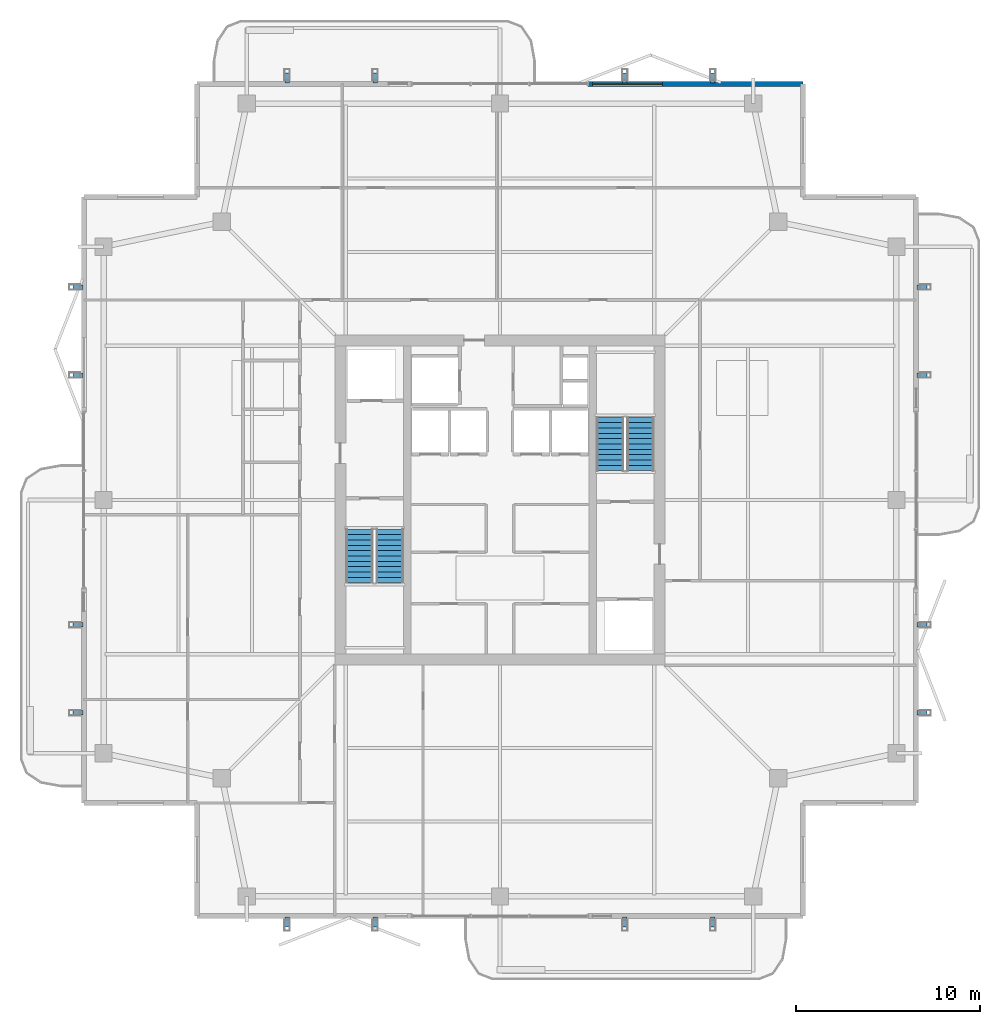
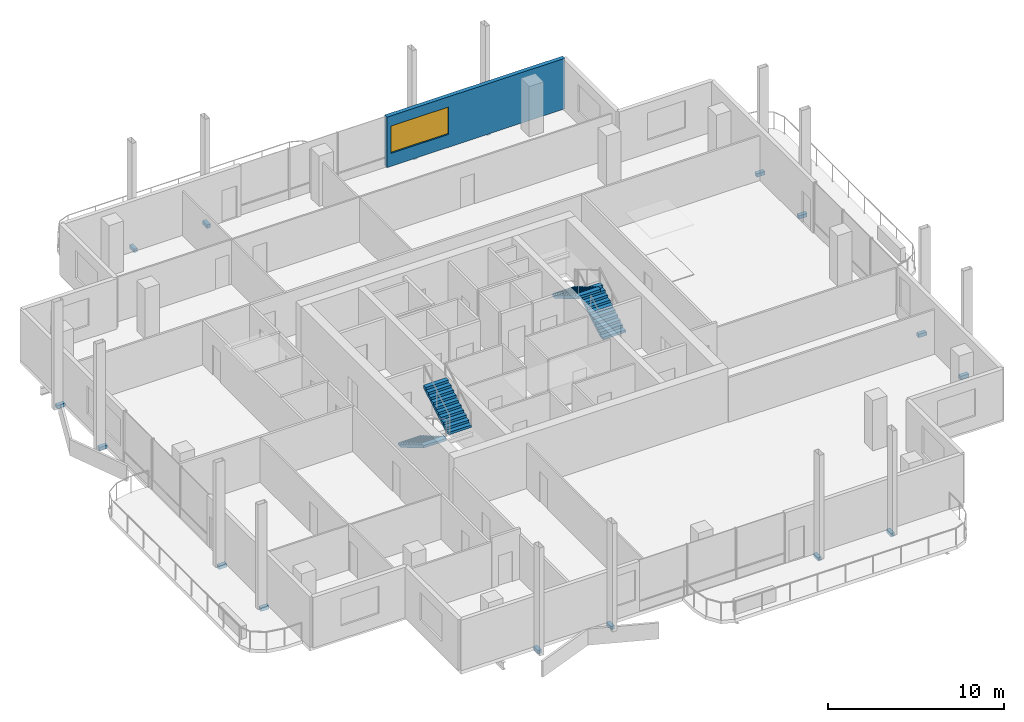
# One storey, part 17 of 20: 16 discrete accessories, 4 stair flights, 1 wall, 1 window, 1 opening, 2 elements without a shape of their own.
"""IFC4 building model written with IfcOpenShell, lengths in metres."""

from ifc_helpers import new_model, si_unit, direction, frame, frame_2d, origin, origin_2d, place, context, subcontext, project, spatial, polyline, rectangle, outline, extrude, material, layer, layer_set, type_object, element, fill, aggregate, save


model = new_model("IFC4")

# Units and contexts
model_context = context("Model", 3, precision=1e-05, world=origin(), true_north=direction((0.0, 1.0)))
body_context = subcontext(model_context, "Body", "Model", "MODEL_VIEW")
ifc_project = project(units=[si_unit("LENGTHUNIT", "METRE"), si_unit("AREAUNIT", "SQUARE_METRE"), si_unit("VOLUMEUNIT", "CUBIC_METRE"), si_unit("PLANEANGLEUNIT", "RADIAN"), si_unit("MASSUNIT", "GRAM", prefix="KILO")], contexts=[model_context])

# Site, building, storey
site_placement = place(None, origin())
site = spatial("IfcSite", under=ifc_project, at=site_placement, CompositionType="ELEMENT")
building_placement = place(site_placement, origin())
building = spatial("IfcBuilding", under=site, at=building_placement, Name="Belovzor Exchange Tower", CompositionType="ELEMENT")
storey_placement = place(building_placement, frame((0.0, 0.0, 299.25)))
storey = spatial("IfcBuildingStorey", under=building, at=storey_placement, Name="L74", CompositionType="ELEMENT", Elevation=299.25)

# Wall, opening, window
ifc_material_1 = material(Name="Precast concrete C40/50", Category="concrete")
ifc_layer_1 = layer(ifc_material_1, 0.260009765625)
ifc_layer_set_1 = layer_set([ifc_layer_1], Name="Precast concrete C40/50")
wall_type = type_object("IfcWallType", Name="Precast Concrete Perimeter Loggia Frame Wall 260", PredefinedType="SOLIDWALL", material=ifc_layer_set_1)
wall_placement = place(storey_placement, frame((33.60009765625, 51.469970703125, 0.0), z_axis=(0.0, 0.0, 1.0), x_axis=(1.0, 0.0, 0.0)))
wall = element("IfcWall", 1, at=wall_placement, inside=storey, type_object=wall_type, Name="W-EXT260 Precast Concrete Perimeter Loggia Frame Wall 260 L74", PredefinedType="SOLIDWALL", context=body_context, shape_type="SweptSolid", body=[
    extrude(rectangle(XDim=11.699951171875, YDim=0.260009765625, at=frame_2d((5.85009765625, 0.0))), origin(), (0.0, 0.0, 1.0), 3.510009765625),
])
opening_placement = place(wall_placement, frame((0.25, 0.0, 0.89990234375)))
opening = element("IfcOpeningElement", 2, at=opening_placement, cuts=wall, Name="Opening WN-RIB380", PredefinedType="OPENING", context=body_context, shape_type="SweptSolid", body=[
    extrude(rectangle(XDim=3.800048828125, YDim=1.89990234375, at=frame_2d((1.89990234375, 0.949951171875))), frame((0.0, 0.139892578125, 0.0), z_axis=(0.0, -1.0, 0.0), x_axis=(1.0, 0.0, 0.0)), (0.0, 0.0, 1.0), 0.280029296875),
])
ifc_material_2 = material(Name="Thermally Broken Aluminium and Triple Glazing", Category="aluminium")
window_type = type_object("IfcWindowType", Name="Streamline Moderne Horizontal Ribbon Window 3800x1900", PartitioningType="SINGLE_PANEL", PredefinedType="WINDOW", material=ifc_material_2)
window_placement = place(opening_placement, origin())
window = element("IfcWindow", 3, at=window_placement, inside=storey, type_object=window_type, Name="WN-RIB380 Streamline Moderne Horizontal Ribbon Window 3800x1900", OverallHeight=1.89990234375, OverallWidth=3.800048828125, PartitioningType="SINGLE_PANEL", PredefinedType="WINDOW", context=body_context, shape_type="SweptSolid", body=[
    extrude(rectangle(XDim=3.800048828125, YDim=1.89990234375, at=frame_2d((1.89990234375, 0.949951171875))), frame((0.0, 0.030029296875, 0.0), z_axis=(0.0, -1.0, 0.0), x_axis=(1.0, 0.0, 0.0)), (0.0, 0.0, 1.0), 0.06005859375),
])
fill(opening, window)

# Stair, stair flights
ifc_material_3 = material(Name="Concrete C40/50", Category="concrete")
stair_type = type_object("IfcStairType", Name="Reinforced Concrete Dogleg Escape Stair 1350", PredefinedType="HALF_TURN_STAIR", material=ifc_material_3)
stair_1_placement = place(storey_placement, origin())
stair_1 = element("IfcStair", 4, at=stair_1_placement, inside=storey, type_object=stair_type, Name="L74 ST-1", PredefinedType="HALF_TURN_STAIR")
ifc_material_4 = material(Name="Concrete C40/50", Category="concrete")
stair_flight_type = type_object("IfcStairFlightType", Name="Reinforced Concrete Stair Flight 1350", PredefinedType="STRAIGHT", material=ifc_material_4)
stair_flight_1_placement = place(storey_placement, frame((21.14990234375, 27.199951171875, 0.0), z_axis=(0.0, 0.0, 1.0), x_axis=(0.0, -1.0, 0.0)))
stair_flight_1 = element("IfcStairFlight", 5, at=stair_flight_1_placement, type_object=stair_flight_type, Name="ST-1 flight 1", NumberOfRisers=11, NumberOfTreads=10, PredefinedType="STRAIGHT", RiserHeight=0.170454545, TreadLength=0.29, context=body_context, shape_type="SweptSolid", body=[
    extrude(outline(polyline([(0.0, 0.0), (0.0, 0.17041015625), (0.2900390625, 0.17041015625), (0.2900390625, 0.3408203125), (0.580078125, 0.3408203125), (0.580078125, 0.511474609375), (0.8701171875, 0.511474609375), (0.8701171875, 0.681884765625), (1.159912109375, 0.681884765625), (1.159912109375, 0.852294921875), (1.449951171875, 0.852294921875), (1.449951171875, 1.022705078125), (1.739990234375, 1.022705078125), (1.739990234375, 1.193115234375), (2.030029296875, 1.193115234375), (2.030029296875, 1.363525390625), (2.320068359375, 1.363525390625), (2.320068359375, 1.5341796875), (2.610107421875, 1.5341796875), (2.610107421875, 1.70458984375), (2.89990234375, 1.70458984375), (2.89990234375, 1.875), (2.89990234375, 1.53076171875), (0.2958984375, 0.0), (0.0, 0.0)])), frame((0.0, 0.75, 0.0), z_axis=(0.0, -1.0, 0.0), x_axis=(1.0, 0.0, 0.0)), (0.0, 0.0, 1.0), 1.5),
])
stair_flight_2_placement = place(storey_placement, frame((22.800048828125, 24.300048828125, 1.875), z_axis=(0.0, 0.0, 1.0), x_axis=(0.0, 1.0, 0.0)))
stair_flight_2 = element("IfcStairFlight", 6, at=stair_flight_2_placement, type_object=stair_flight_type, Name="ST-1 flight 2", NumberOfRisers=11, NumberOfTreads=10, PredefinedType="STRAIGHT", RiserHeight=0.170454545, TreadLength=0.29, context=body_context, shape_type="SweptSolid", body=[
    extrude(outline(polyline([(0.0, 0.0), (0.0, 0.17041015625), (0.2900390625, 0.17041015625), (0.2900390625, 0.3408203125), (0.580078125, 0.3408203125), (0.580078125, 0.511474609375), (0.8701171875, 0.511474609375), (0.8701171875, 0.681884765625), (1.159912109375, 0.681884765625), (1.159912109375, 0.852294921875), (1.449951171875, 0.852294921875), (1.449951171875, 1.022705078125), (1.739990234375, 1.022705078125), (1.739990234375, 1.193115234375), (2.030029296875, 1.193115234375), (2.030029296875, 1.363525390625), (2.320068359375, 1.363525390625), (2.320068359375, 1.5341796875), (2.610107421875, 1.5341796875), (2.610107421875, 1.70458984375), (2.89990234375, 1.70458984375), (2.89990234375, 1.875), (2.89990234375, 1.53076171875), (0.2958984375, 0.0), (0.0, 0.0)])), frame((0.0, 0.75, 0.0), z_axis=(0.0, -1.0, 0.0), x_axis=(1.0, 0.0, 0.0)), (0.0, 0.0, 1.0), 1.5),
])
aggregate(stair_1, [stair_flight_1, stair_flight_2])

stair_2_placement = place(storey_placement, origin())
stair_2 = element("IfcStair", 7, at=stair_2_placement, inside=storey, type_object=stair_type, Name="L74 ST-2", PredefinedType="HALF_TURN_STAIR")
stair_flight_3_placement = place(storey_placement, frame((36.449951171875, 30.39990234375, 0.0), z_axis=(0.0, 0.0, 1.0), x_axis=(0.0, 1.0, 0.0)))
stair_flight_3 = element("IfcStairFlight", 8, at=stair_flight_3_placement, type_object=stair_flight_type, Name="ST-2 flight 1", NumberOfRisers=11, NumberOfTreads=10, PredefinedType="STRAIGHT", RiserHeight=0.170454545, TreadLength=0.29, context=body_context, shape_type="SweptSolid", body=[
    extrude(outline(polyline([(0.0, 0.0), (0.0, 0.17041015625), (0.2900390625, 0.17041015625), (0.2900390625, 0.3408203125), (0.580078125, 0.3408203125), (0.580078125, 0.511474609375), (0.8701171875, 0.511474609375), (0.8701171875, 0.681884765625), (1.159912109375, 0.681884765625), (1.159912109375, 0.852294921875), (1.449951171875, 0.852294921875), (1.449951171875, 1.022705078125), (1.739990234375, 1.022705078125), (1.739990234375, 1.193115234375), (2.030029296875, 1.193115234375), (2.030029296875, 1.363525390625), (2.320068359375, 1.363525390625), (2.320068359375, 1.5341796875), (2.610107421875, 1.5341796875), (2.610107421875, 1.70458984375), (2.89990234375, 1.70458984375), (2.89990234375, 1.875), (2.89990234375, 1.53076171875), (0.2958984375, 0.0), (0.0, 0.0)])), frame((0.0, 0.75, 0.0), z_axis=(0.0, -1.0, 0.0), x_axis=(1.0, 0.0, 0.0)), (0.0, 0.0, 1.0), 1.5),
])
stair_flight_4_placement = place(storey_placement, frame((34.800048828125, 33.300048828125, 1.875), z_axis=(0.0, 0.0, 1.0), x_axis=(0.0, -1.0, 0.0)))
stair_flight_4 = element("IfcStairFlight", 9, at=stair_flight_4_placement, type_object=stair_flight_type, Name="ST-2 flight 2", NumberOfRisers=11, NumberOfTreads=10, PredefinedType="STRAIGHT", RiserHeight=0.170454545, TreadLength=0.29, context=body_context, shape_type="SweptSolid", body=[
    extrude(outline(polyline([(0.0, 0.0), (0.0, 0.17041015625), (0.2900390625, 0.17041015625), (0.2900390625, 0.3408203125), (0.580078125, 0.3408203125), (0.580078125, 0.511474609375), (0.8701171875, 0.511474609375), (0.8701171875, 0.681884765625), (1.159912109375, 0.681884765625), (1.159912109375, 0.852294921875), (1.449951171875, 0.852294921875), (1.449951171875, 1.022705078125), (1.739990234375, 1.022705078125), (1.739990234375, 1.193115234375), (2.030029296875, 1.193115234375), (2.030029296875, 1.363525390625), (2.320068359375, 1.363525390625), (2.320068359375, 1.5341796875), (2.610107421875, 1.5341796875), (2.610107421875, 1.70458984375), (2.89990234375, 1.70458984375), (2.89990234375, 1.875), (2.89990234375, 1.53076171875), (0.2958984375, 0.0), (0.0, 0.0)])), frame((0.0, 0.75, 0.0), z_axis=(0.0, -1.0, 0.0), x_axis=(1.0, 0.0, 0.0)), (0.0, 0.0, 1.0), 1.5),
])
aggregate(stair_2, [stair_flight_3, stair_flight_4])

# Discrete accessories
ifc_material_5 = material(Name="Stainless Steel Grade 316", Category="steel")
ifc_layer_2 = layer(ifc_material_5, 0.179931640625)
ifc_layer_set_2 = layer_set([ifc_layer_2], Name="Stainless Steel Grade 316")
discrete_accessory_type = type_object("IfcDiscreteAccessoryType", Name="Stainless Steel Facade Outrigger Fixing Bracket", PredefinedType="BRACKET", material=ifc_layer_set_2)
for number, where, z_axis, x_axis, name in (
    (10, (17.199951171875, 5.81201171875, -0.240234375), (0.0, 0.0, 1.0), (0.0, 1.0, 0.0), "BRK-FIN1 Sweeping Fin Outrigger Bracket L74 S1"),
    (11, (17.199951171875, 51.7880859375, -0.240234375), (0.0, 0.0, 1.0), (0.0, 1.0, 0.0), "BRK-FIN1 Sweeping Fin Outrigger Bracket L74 N1"),
    (12, (5.81201171875, 17.199951171875, -0.240234375), (0.0, 0.0, 1.0), (1.0, 0.0, 0.0), "BRK-FIN1 Sweeping Fin Outrigger Bracket L74 W1"),
    (13, (51.7880859375, 17.199951171875, -0.240234375), (0.0, 0.0, 1.0), (1.0, 0.0, 0.0), "BRK-FIN1 Sweeping Fin Outrigger Bracket L74 E1"),
    (14, (22.0, 5.81201171875, -0.240234375), (0.0, 0.0, 1.0), (0.0, 1.0, 0.0), "BRK-FIN1 Sweeping Fin Outrigger Bracket L74 S2"),
    (15, (22.0, 51.7880859375, -0.240234375), (0.0, 0.0, 1.0), (0.0, 1.0, 0.0), "BRK-FIN1 Sweeping Fin Outrigger Bracket L74 N2"),
    (16, (5.81201171875, 22.0, -0.240234375), (0.0, 0.0, 1.0), (1.0, 0.0, 0.0), "BRK-FIN1 Sweeping Fin Outrigger Bracket L74 W2"),
    (17, (51.7880859375, 22.0, -0.240234375), (0.0, 0.0, 1.0), (1.0, 0.0, 0.0), "BRK-FIN1 Sweeping Fin Outrigger Bracket L74 E2"),
    (18, (35.60009765625, 5.81201171875, -0.240234375), (0.0, 0.0, 1.0), (0.0, 1.0, 0.0), "BRK-FIN1 Sweeping Fin Outrigger Bracket L74 S3"),
    (19, (35.60009765625, 51.7880859375, -0.240234375), (0.0, 0.0, 1.0), (0.0, 1.0, 0.0), "BRK-FIN1 Sweeping Fin Outrigger Bracket L74 N3"),
    (20, (5.81201171875, 35.60009765625, -0.240234375), (0.0, 0.0, 1.0), (1.0, 0.0, 0.0), "BRK-FIN1 Sweeping Fin Outrigger Bracket L74 W3"),
    (21, (51.7880859375, 35.60009765625, -0.240234375), (0.0, 0.0, 1.0), (1.0, 0.0, 0.0), "BRK-FIN1 Sweeping Fin Outrigger Bracket L74 E3"),
    (22, (40.39990234375, 5.81201171875, -0.240234375), (0.0, 0.0, 1.0), (0.0, 1.0, 0.0), "BRK-FIN1 Sweeping Fin Outrigger Bracket L74 S4"),
    (23, (40.39990234375, 51.7880859375, -0.240234375), (0.0, 0.0, 1.0), (0.0, 1.0, 0.0), "BRK-FIN1 Sweeping Fin Outrigger Bracket L74 N4"),
    (24, (5.81201171875, 40.39990234375, -0.240234375), (0.0, 0.0, 1.0), (1.0, 0.0, 0.0), "BRK-FIN1 Sweeping Fin Outrigger Bracket L74 W4"),
    (25, (51.7880859375, 40.39990234375, -0.240234375), (0.0, 0.0, 1.0), (1.0, 0.0, 0.0), "BRK-FIN1 Sweeping Fin Outrigger Bracket L74 E4"),
):
    element("IfcDiscreteAccessory", number, at=place(storey_placement, frame(where, z_axis=z_axis, x_axis=x_axis)), inside=storey, type_object=discrete_accessory_type, Name=name, PredefinedType="BRACKET", context=body_context, shape_type="SweptSolid", body=[
        extrude(rectangle(XDim=0.534912109375, YDim=0.239990234375, at=origin_2d()), origin(), (0.0, 0.0, 1.0), 0.239990234375),
    ])

save(model, "model.ifc")
